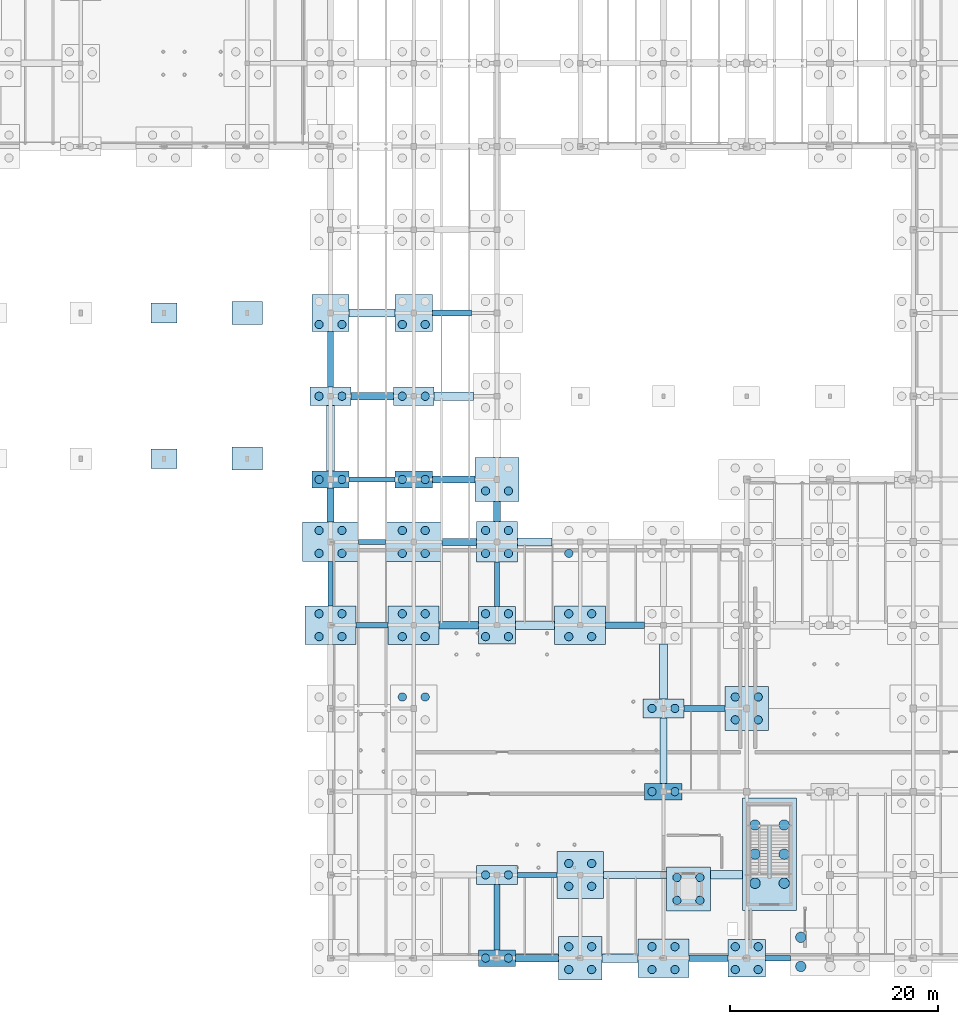
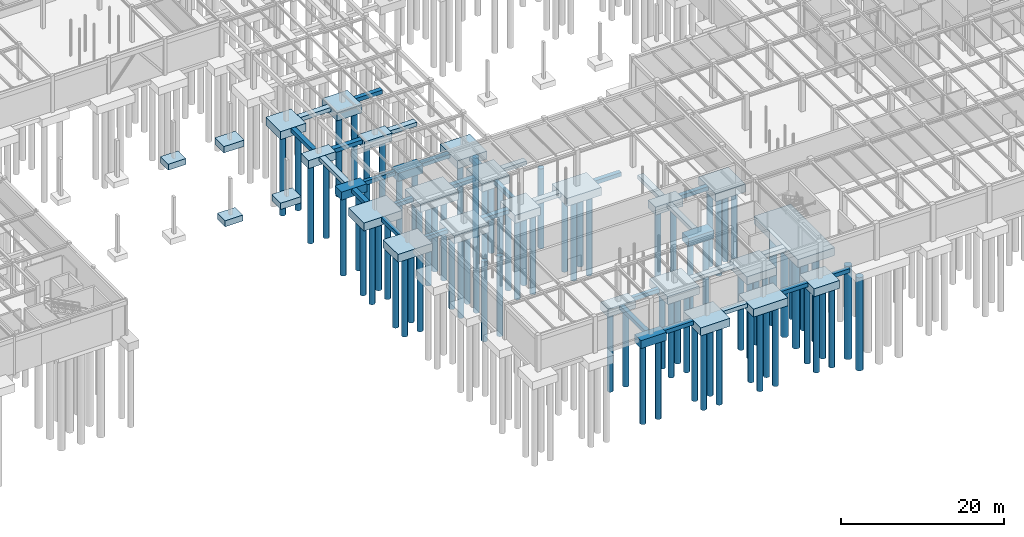
# One storey, part 2 of 71: 85 piles, 59 footings.
"""IFC4 building model written with IfcOpenShell, lengths in metres."""

from ifc_helpers import new_model, si_unit, direction, frame, origin, origin_2d, place, context, subcontext, project, spatial, rectangle, circle, extrude, material, material_profile, profile_set, type_object, element, save


model = new_model("IFC4")

# Units and contexts
model_context = context("Model", 3, precision=1e-05, world=origin(), true_north=direction((0.0, 1.0)))
body_context = subcontext(model_context, "Body", "Model", "MODEL_VIEW")
ifc_project = project(units=[si_unit("LENGTHUNIT", "METRE"), si_unit("AREAUNIT", "SQUARE_METRE"), si_unit("VOLUMEUNIT", "CUBIC_METRE"), si_unit("PLANEANGLEUNIT", "RADIAN"), si_unit("MASSUNIT", "GRAM", prefix="KILO")], contexts=[model_context])

# Site, building, storey
site_placement = place(None, origin())
site = spatial("IfcSite", under=ifc_project, at=site_placement, CompositionType="ELEMENT")
building_placement = place(site_placement, origin())
building = spatial("IfcBuilding", under=site, at=building_placement, Name="Sundkrona Museum", CompositionType="ELEMENT")
storey_placement = place(building_placement, frame((0.0, 0.0, -5.39990234375)))
storey = spatial("IfcBuildingStorey", under=building, at=storey_placement, Name="B1", CompositionType="ELEMENT", Elevation=-5.39990234375)

# Footings
ifc_material = material(Name="Concrete C40/50", Category="concrete")
footing_type_1 = type_object("IfcFootingType", Name="GB-500", PredefinedType="FOOTING_BEAM", material=ifc_material)
footing_1_placement = place(storey_placement, frame((123.0, 0.0, -0.7001953125), z_axis=(0.0, 0.0, 1.0), x_axis=(1.0, 0.0, 0.0)))
element("IfcFooting", 1, at=footing_1_placement, inside=storey, type_object=footing_type_1, Name="Ground Tie Beam GB-X-006", PredefinedType="FOOTING_BEAM", context=body_context, shape_type="SweptSolid", body=[
    extrude(rectangle(XDim=2.39990234375, YDim=0.5, at=origin_2d()), origin(), (0.0, 0.0, 1.0), 0.60009765625),
])
footing_2_placement = place(storey_placement, frame((99.85009765625, 8.0, -0.7001953125), z_axis=(0.0, 0.0, 1.0), x_axis=(1.0, 0.0, 0.0)))
element("IfcFooting", 2, at=footing_2_placement, inside=storey, type_object=footing_type_1, Name="Ground Tie Beam GB-X-014", PredefinedType="FOOTING_BEAM", context=body_context, shape_type="SweptSolid", body=[
    extrude(rectangle(XDim=3.800048828125, YDim=0.5, at=origin_2d()), origin(), (0.0, 0.0, 1.0), 0.60009765625),
])
footing_3_placement = place(storey_placement, frame((84.0, 32.0, -0.7001953125), z_axis=(0.0, 0.0, 1.0), x_axis=(1.0, 0.0, 0.0)))
element("IfcFooting", 3, at=footing_3_placement, inside=storey, type_object=footing_type_1, Name="Ground Tie Beam GB-X-034", PredefinedType="FOOTING_BEAM", context=body_context, shape_type="SweptSolid", body=[
    extrude(rectangle(XDim=3.10009765625, YDim=0.5, at=origin_2d()), origin(), (0.0, 0.0, 1.0), 0.60009765625),
])
footing_4_placement = place(storey_placement, frame((84.0, 40.0, -0.7001953125), z_axis=(0.0, 0.0, 1.0), x_axis=(1.0, 0.0, 0.0)))
element("IfcFooting", 4, at=footing_4_placement, inside=storey, type_object=footing_type_1, Name="Ground Tie Beam GB-X-046", PredefinedType="FOOTING_BEAM", context=body_context, shape_type="SweptSolid", body=[
    extrude(rectangle(XDim=2.60009765625, YDim=0.5, at=origin_2d()), origin(), (0.0, 0.0, 1.0), 0.60009765625),
])
footing_5_placement = place(storey_placement, frame((84.0, 46.0, -0.7001953125), z_axis=(0.0, 0.0, 1.0), x_axis=(1.0, 0.0, 0.0)))
element("IfcFooting", 5, at=footing_5_placement, inside=storey, type_object=footing_type_1, Name="Ground Tie Beam GB-X-058", PredefinedType="FOOTING_BEAM", context=body_context, shape_type="SweptSolid", body=[
    extrude(rectangle(XDim=4.39990234375, YDim=0.5, at=origin_2d()), origin(), (0.0, 0.0, 1.0), 0.60009765625),
])
for number, where, z_axis, x_axis, name in (
    (6, (80.0, 35.97509765625, -0.7001953125), (0.0, 0.0, 1.0), (0.0, 1.0, 0.0), "Ground Tie Beam GB-Y-230"),
    (7, (96.0, 35.925048828125, -0.7001953125), (0.0, 0.0, 1.0), (0.0, 1.0, 0.0), "Ground Tie Beam GB-Y-242"),
):
    element("IfcFooting", number, at=place(storey_placement, frame(where, z_axis=z_axis, x_axis=x_axis)), inside=storey, type_object=footing_type_1, Name=name, PredefinedType="FOOTING_BEAM", context=body_context, shape_type="SweptSolid", body=[
        extrude(rectangle(XDim=4.25, YDim=0.5, at=origin_2d()), origin(), (0.0, 0.0, 1.0), 0.60009765625),
    ])
footing_type_2 = type_object("IfcFootingType", Name="GB-600", PredefinedType="FOOTING_BEAM", material=ifc_material)
footing_6_placement = place(storey_placement, frame((116.324951171875, 0.0, -0.7001953125), z_axis=(0.0, 0.0, 1.0), x_axis=(1.0, 0.0, 0.0)))
element("IfcFooting", 8, at=footing_6_placement, inside=storey, type_object=footing_type_2, Name="Ground Tie Beam GB-X-005", PredefinedType="FOOTING_BEAM", context=body_context, shape_type="SweptSolid", body=[
    extrude(rectangle(XDim=3.75, YDim=0.60009765625, at=origin_2d()), origin(), (0.0, 0.0, 1.0), 0.60009765625),
])
footing_7_placement = place(storey_placement, frame((115.925048828125, 24.0, -0.7001953125), z_axis=(0.0, 0.0, 1.0), x_axis=(1.0, 0.0, 0.0)))
element("IfcFooting", 9, at=footing_7_placement, inside=storey, type_object=footing_type_2, Name="Ground Tie Beam GB-X-029", PredefinedType="FOOTING_BEAM", context=body_context, shape_type="SweptSolid", body=[
    extrude(rectangle(XDim=3.949951171875, YDim=0.60009765625, at=origin_2d()), origin(), (0.0, 0.0, 1.0), 0.60009765625),
])
for number, where, z_axis, x_axis, name in (
    (10, (108.324951171875, 32.0, -0.7001953125), (0.0, 0.0, 1.0), (1.0, 0.0, 0.0), "Ground Tie Beam GB-X-037"),
    (11, (91.675048828125, 62.0, -0.7001953125), (0.0, 0.0, 1.0), (1.0, 0.0, 0.0), "Ground Tie Beam GB-X-077"),
):
    element("IfcFooting", number, at=place(storey_placement, frame(where, z_axis=z_axis, x_axis=x_axis)), inside=storey, type_object=footing_type_2, Name=name, PredefinedType="FOOTING_BEAM", context=body_context, shape_type="SweptSolid", body=[
        extrude(rectangle(XDim=3.75, YDim=0.60009765625, at=origin_2d()), origin(), (0.0, 0.0, 1.0), 0.60009765625),
    ])
footing_8_placement = place(storey_placement, frame((80.0, 57.550048828125, -0.7001953125), z_axis=(0.0, 0.0, 1.0), x_axis=(0.0, 1.0, 0.0)))
element("IfcFooting", 12, at=footing_8_placement, inside=storey, type_object=footing_type_2, Name="Ground Tie Beam GB-Y-233", PredefinedType="FOOTING_BEAM", context=body_context, shape_type="SweptSolid", body=[
    extrude(rectangle(XDim=5.300048828125, YDim=0.60009765625, at=origin_2d()), origin(), (0.0, 0.0, 1.0), 0.60009765625),
])
footing_9_placement = place(storey_placement, frame((96.0, 3.949951171875, -0.7001953125), z_axis=(0.0, 0.0, 1.0), x_axis=(0.0, 1.0, 0.0)))
element("IfcFooting", 13, at=footing_9_placement, inside=storey, type_object=footing_type_2, Name="Ground Tie Beam GB-Y-241", PredefinedType="FOOTING_BEAM", context=body_context, shape_type="SweptSolid", body=[
    extrude(rectangle(XDim=6.300048828125, YDim=0.60009765625, at=origin_2d()), origin(), (0.0, 0.0, 1.0), 0.60009765625),
])
footing_type_3 = type_object("IfcFootingType", Name="GB-700", PredefinedType="FOOTING_BEAM", material=ifc_material)
footing_10_placement = place(storey_placement, frame((99.85009765625, 0.0, -0.7001953125), z_axis=(0.0, 0.0, 1.0), x_axis=(1.0, 0.0, 0.0)))
element("IfcFooting", 14, at=footing_10_placement, inside=storey, type_object=footing_type_3, Name="Ground Tie Beam GB-X-003", PredefinedType="FOOTING_BEAM", context=body_context, shape_type="SweptSolid", body=[
    extrude(rectangle(XDim=4.10009765625, YDim=0.699951171875, at=origin_2d()), origin(), (0.0, 0.0, 1.0), 0.60009765625),
])
footing_11_placement = place(storey_placement, frame((109.27490234375, 8.0, -0.7001953125), z_axis=(0.0, 0.0, 1.0), x_axis=(1.0, 0.0, 0.0)))
element("IfcFooting", 15, at=footing_11_placement, inside=storey, type_object=footing_type_3, Name="Ground Tie Beam GB-X-015", PredefinedType="FOOTING_BEAM", context=body_context, shape_type="SweptSolid", body=[
    extrude(rectangle(XDim=6.050048828125, YDim=0.699951171875, at=origin_2d()), origin(), (0.0, 0.0, 1.0), 0.60009765625),
])
footing_12_placement = place(storey_placement, frame((92.324951171875, 32.0, -0.7001953125), z_axis=(0.0, 0.0, 1.0), x_axis=(1.0, 0.0, 0.0)))
element("IfcFooting", 16, at=footing_12_placement, inside=storey, type_object=footing_type_3, Name="Ground Tie Beam GB-X-035", PredefinedType="FOOTING_BEAM", context=body_context, shape_type="SweptSolid", body=[
    extrude(rectangle(XDim=3.75, YDim=0.699951171875, at=origin_2d()), origin(), (0.0, 0.0, 1.0), 0.60009765625),
])
footing_13_placement = place(storey_placement, frame((92.375, 40.0, -0.7001953125), z_axis=(0.0, 0.0, 1.0), x_axis=(1.0, 0.0, 0.0)))
element("IfcFooting", 17, at=footing_13_placement, inside=storey, type_object=footing_type_3, Name="Ground Tie Beam GB-X-047", PredefinedType="FOOTING_BEAM", context=body_context, shape_type="SweptSolid", body=[
    extrude(rectangle(XDim=3.35009765625, YDim=0.699951171875, at=origin_2d()), origin(), (0.0, 0.0, 1.0), 0.60009765625),
])
for number, where, z_axis, x_axis, name in (
    (18, (91.85009765625, 46.0, -0.7001953125), (0.0, 0.0, 1.0), (1.0, 0.0, 0.0), "Ground Tie Beam GB-X-059"),
    (19, (84.0, 54.0, -0.7001953125), (0.0, 0.0, 1.0), (1.0, 0.0, 0.0), "Ground Tie Beam GB-X-067"),
):
    element("IfcFooting", number, at=place(storey_placement, frame(where, z_axis=z_axis, x_axis=x_axis)), inside=storey, type_object=footing_type_3, Name=name, PredefinedType="FOOTING_BEAM", context=body_context, shape_type="SweptSolid", body=[
        extrude(rectangle(XDim=4.10009765625, YDim=0.699951171875, at=origin_2d()), origin(), (0.0, 0.0, 1.0), 0.60009765625),
    ])
footing_14_placement = place(storey_placement, frame((80.0, 43.550048828125, -0.7001953125), z_axis=(0.0, 0.0, 1.0), x_axis=(0.0, 1.0, 0.0)))
element("IfcFooting", 20, at=footing_14_placement, inside=storey, type_object=footing_type_3, Name="Ground Tie Beam GB-Y-231", PredefinedType="FOOTING_BEAM", context=body_context, shape_type="SweptSolid", body=[
    extrude(rectangle(XDim=3.300048828125, YDim=0.699951171875, at=origin_2d()), origin(), (0.0, 0.0, 1.0), 0.60009765625),
])
footing_15_placement = place(storey_placement, frame((96.0, 42.925048828125, -0.7001953125), z_axis=(0.0, 0.0, 1.0), x_axis=(0.0, 1.0, 0.0)))
element("IfcFooting", 21, at=footing_15_placement, inside=storey, type_object=footing_type_3, Name="Ground Tie Beam GB-Y-243", PredefinedType="FOOTING_BEAM", context=body_context, shape_type="SweptSolid", body=[
    extrude(rectangle(XDim=1.949951171875, YDim=0.699951171875, at=origin_2d()), origin(), (0.0, 0.0, 1.0), 0.60009765625),
])
footing_16_placement = place(storey_placement, frame((112.0, 19.949951171875, -0.7001953125), z_axis=(0.0, 0.0, 1.0), x_axis=(0.0, 1.0, 0.0)))
element("IfcFooting", 22, at=footing_16_placement, inside=storey, type_object=footing_type_3, Name="Ground Tie Beam GB-Y-251", PredefinedType="FOOTING_BEAM", context=body_context, shape_type="SweptSolid", body=[
    extrude(rectangle(XDim=6.300048828125, YDim=0.699951171875, at=origin_2d()), origin(), (0.0, 0.0, 1.0), 0.60009765625),
])
footing_type_4 = type_object("IfcFootingType", Name="GB-800", PredefinedType="FOOTING_BEAM", material=ifc_material)
footing_17_placement = place(storey_placement, frame((107.824951171875, 0.0, -0.7001953125), z_axis=(0.0, 0.0, 1.0), x_axis=(1.0, 0.0, 0.0)))
element("IfcFooting", 23, at=footing_17_placement, inside=storey, type_object=footing_type_4, Name="Ground Tie Beam GB-X-004", PredefinedType="FOOTING_BEAM", context=body_context, shape_type="SweptSolid", body=[
    extrude(rectangle(XDim=3.449951171875, YDim=0.800048828125, at=origin_2d()), origin(), (0.0, 0.0, 1.0), 0.60009765625),
])
footing_18_placement = place(storey_placement, frame((118.050048828125, 8.0, -0.7001953125), z_axis=(0.0, 0.0, 1.0), x_axis=(1.0, 0.0, 0.0)))
element("IfcFooting", 24, at=footing_18_placement, inside=storey, type_object=footing_type_4, Name="Ground Tie Beam GB-X-016", PredefinedType="FOOTING_BEAM", context=body_context, shape_type="SweptSolid", body=[
    extrude(rectangle(XDim=3.10009765625, YDim=0.800048828125, at=origin_2d()), origin(), (0.0, 0.0, 1.0), 0.60009765625),
])
footing_19_placement = place(storey_placement, frame((99.675048828125, 32.0, -0.7001953125), z_axis=(0.0, 0.0, 1.0), x_axis=(1.0, 0.0, 0.0)))
element("IfcFooting", 25, at=footing_19_placement, inside=storey, type_object=footing_type_4, Name="Ground Tie Beam GB-X-036", PredefinedType="FOOTING_BEAM", context=body_context, shape_type="SweptSolid", body=[
    extrude(rectangle(XDim=3.75, YDim=0.800048828125, at=origin_2d()), origin(), (0.0, 0.0, 1.0), 0.60009765625),
])
footing_20_placement = place(storey_placement, frame((99.625, 40.0, -0.7001953125), z_axis=(0.0, 0.0, 1.0), x_axis=(1.0, 0.0, 0.0)))
element("IfcFooting", 26, at=footing_20_placement, inside=storey, type_object=footing_type_4, Name="Ground Tie Beam GB-X-048", PredefinedType="FOOTING_BEAM", context=body_context, shape_type="SweptSolid", body=[
    extrude(rectangle(XDim=3.35009765625, YDim=0.800048828125, at=origin_2d()), origin(), (0.0, 0.0, 1.0), 0.60009765625),
])
footing_21_placement = place(storey_placement, frame((91.85009765625, 54.0, -0.7001953125), z_axis=(0.0, 0.0, 1.0), x_axis=(1.0, 0.0, 0.0)))
element("IfcFooting", 27, at=footing_21_placement, inside=storey, type_object=footing_type_4, Name="Ground Tie Beam GB-X-068", PredefinedType="FOOTING_BEAM", context=body_context, shape_type="SweptSolid", body=[
    extrude(rectangle(XDim=3.800048828125, YDim=0.800048828125, at=origin_2d()), origin(), (0.0, 0.0, 1.0), 0.60009765625),
])
footing_22_placement = place(storey_placement, frame((84.0, 62.0, -0.7001953125), z_axis=(0.0, 0.0, 1.0), x_axis=(1.0, 0.0, 0.0)))
element("IfcFooting", 28, at=footing_22_placement, inside=storey, type_object=footing_type_4, Name="Ground Tie Beam GB-X-076", PredefinedType="FOOTING_BEAM", context=body_context, shape_type="SweptSolid", body=[
    extrude(rectangle(XDim=4.39990234375, YDim=0.800048828125, at=origin_2d()), origin(), (0.0, 0.0, 1.0), 0.60009765625),
])
footing_23_placement = place(storey_placement, frame((80.0, 49.949951171875, -0.7001953125), z_axis=(0.0, 0.0, 1.0), x_axis=(0.0, 1.0, 0.0)))
element("IfcFooting", 29, at=footing_23_placement, inside=storey, type_object=footing_type_4, Name="Ground Tie Beam GB-Y-232", PredefinedType="FOOTING_BEAM", context=body_context, shape_type="SweptSolid", body=[
    extrude(rectangle(XDim=6.300048828125, YDim=0.800048828125, at=origin_2d()), origin(), (0.0, 0.0, 1.0), 0.60009765625),
])
footing_24_placement = place(storey_placement, frame((112.0, 27.550048828125, -0.7001953125), z_axis=(0.0, 0.0, 1.0), x_axis=(0.0, 1.0, 0.0)))
element("IfcFooting", 30, at=footing_24_placement, inside=storey, type_object=footing_type_4, Name="Ground Tie Beam GB-Y-252", PredefinedType="FOOTING_BEAM", context=body_context, shape_type="SweptSolid", body=[
    extrude(rectangle(XDim=5.300048828125, YDim=0.800048828125, at=origin_2d()), origin(), (0.0, 0.0, 1.0), 0.60009765625),
])

# Piles
ifc_material_profile_1 = material_profile(ifc_material, circle(Radius=0.5, at=origin_2d()), Name="PILE D1000")
ifc_profile_set_1 = profile_set([ifc_material_profile_1], Name="Concrete C40/50")
pile_type_1 = type_object("IfcPileType", Name="P-1000", PredefinedType="BORED", material=ifc_profile_set_1)
for number, where, z_axis, x_axis, name in (
    (31, (123.60009765625, 7.199951171875, -1.150146484375), (0.0, 0.0, -1.0), (1.0, 0.0, 0.0), "Bored Pile FC-CORE2-P01"),
    (32, (123.60009765625, 10.0, -1.150146484375), (0.0, 0.0, -1.0), (1.0, 0.0, 0.0), "Bored Pile FC-CORE2-P02"),
    (33, (123.60009765625, 12.800048828125, -1.150146484375), (0.0, 0.0, -1.0), (1.0, 0.0, 0.0), "Bored Pile FC-CORE2-P03"),
    (34, (120.800048828125, 7.199951171875, -1.150146484375), (0.0, 0.0, -1.0), (1.0, 0.0, 0.0), "Bored Pile FC-CORE2-P04"),
    (35, (120.800048828125, 10.0, -1.150146484375), (0.0, 0.0, -1.0), (1.0, 0.0, 0.0), "Bored Pile FC-CORE2-P05"),
    (36, (120.800048828125, 12.800048828125, -1.150146484375), (0.0, 0.0, -1.0), (1.0, 0.0, 0.0), "Bored Pile FC-CORE2-P06"),
    (37, (125.199951171875, -0.800048828125, -1.150146484375), (0.0, 0.0, -1.0), (1.0, 0.0, 0.0), "Bored Pile FC-V1-SW-P01"),
    (38, (125.199951171875, 2.0, -1.150146484375), (0.0, 0.0, -1.0), (1.0, 0.0, 0.0), "Bored Pile FC-V1-SW-P04"),
):
    element("IfcPile", number, at=place(storey_placement, frame(where, z_axis=z_axis, x_axis=x_axis)), inside=storey, type_object=pile_type_1, Name=name, PredefinedType="BORED", context=body_context, shape_type="SweptSolid", body=[
        extrude(circle(Radius=0.5, at=origin_2d()), origin(), (0.0, 0.0, 1.0), 14.0),
    ])
ifc_material_profile_2 = material_profile(ifc_material, circle(Radius=0.39990234375, at=origin_2d()), Name="PILE D800")
ifc_profile_set_2 = profile_set([ifc_material_profile_2], Name="Concrete C40/50")
pile_type_2 = type_object("IfcPileType", Name="P-800", PredefinedType="BORED", material=ifc_profile_set_2)
for number, where, z_axis, x_axis, name in (
    (39, (113.300048828125, 5.550048828125, -1.150146484375), (0.0, 0.0, -1.0), (1.0, 0.0, 0.0), "Bored Pile FC-PL2-P01"),
    (40, (115.5, 5.550048828125, -1.150146484375), (0.0, 0.0, -1.0), (1.0, 0.0, 0.0), "Bored Pile FC-PL2-P02"),
    (41, (113.300048828125, 7.75, -1.150146484375), (0.0, 0.0, -1.0), (1.0, 0.0, 0.0), "Bored Pile FC-PL2-P03"),
    (42, (115.5, 7.75, -1.150146484375), (0.0, 0.0, -1.0), (1.0, 0.0, 0.0), "Bored Pile FC-PL2-P04"),
    (43, (78.89990234375, 30.89990234375, -1.150146484375), (0.0, 0.0, -1.0), (1.0, 0.0, 0.0), "Bored Pile FC-E-11-P01"),
    (44, (81.10009765625, 30.89990234375, -1.150146484375), (0.0, 0.0, -1.0), (1.0, 0.0, 0.0), "Bored Pile FC-E-11-P02"),
    (45, (78.89990234375, 33.10009765625, -1.150146484375), (0.0, 0.0, -1.0), (1.0, 0.0, 0.0), "Bored Pile FC-E-11-P03"),
    (46, (81.10009765625, 33.10009765625, -1.150146484375), (0.0, 0.0, -1.0), (1.0, 0.0, 0.0), "Bored Pile FC-E-11-P04"),
    (47, (78.89990234375, 38.89990234375, -1.150146484375), (0.0, 0.0, -1.0), (1.0, 0.0, 0.0), "Bored Pile FC-F-11-P01"),
    (48, (81.10009765625, 38.89990234375, -1.150146484375), (0.0, 0.0, -1.0), (1.0, 0.0, 0.0), "Bored Pile FC-F-11-P02"),
    (49, (78.89990234375, 41.10009765625, -1.150146484375), (0.0, 0.0, -1.0), (1.0, 0.0, 0.0), "Bored Pile FC-F-11-P03"),
    (50, (81.10009765625, 41.10009765625, -1.150146484375), (0.0, 0.0, -1.0), (1.0, 0.0, 0.0), "Bored Pile FC-F-11-P04"),
    (51, (78.89990234375, 46.0, -1.150146484375), (0.0, 0.0, -1.0), (1.0, 0.0, 0.0), "Bored Pile FC-G-11-P01"),
    (52, (81.10009765625, 46.0, -1.150146484375), (0.0, 0.0, -1.0), (1.0, 0.0, 0.0), "Bored Pile FC-G-11-P02"),
    (53, (78.89990234375, 54.0, -1.150146484375), (0.0, 0.0, -1.0), (1.0, 0.0, 0.0), "Bored Pile FC-H-11-P01"),
    (54, (81.10009765625, 54.0, -1.150146484375), (0.0, 0.0, -1.0), (1.0, 0.0, 0.0), "Bored Pile FC-H-11-P02"),
    (55, (78.89990234375, 60.89990234375, -1.150146484375), (0.0, 0.0, -1.0), (1.0, 0.0, 0.0), "Bored Pile FC-J-11-P01"),
    (56, (81.10009765625, 60.89990234375, -1.150146484375), (0.0, 0.0, -1.0), (1.0, 0.0, 0.0), "Bored Pile FC-J-11-P02"),
    (57, (86.89990234375, 25.10009765625, -1.150146484375), (0.0, 0.0, -1.0), (1.0, 0.0, 0.0), "Bored Pile FC-D-12-P03"),
    (58, (89.10009765625, 25.10009765625, -1.150146484375), (0.0, 0.0, -1.0), (1.0, 0.0, 0.0), "Bored Pile FC-D-12-P04"),
    (59, (86.89990234375, 30.89990234375, -1.150146484375), (0.0, 0.0, -1.0), (1.0, 0.0, 0.0), "Bored Pile FC-E-12-P01"),
    (60, (89.10009765625, 30.89990234375, -1.150146484375), (0.0, 0.0, -1.0), (1.0, 0.0, 0.0), "Bored Pile FC-E-12-P02"),
    (61, (86.89990234375, 33.10009765625, -1.150146484375), (0.0, 0.0, -1.0), (1.0, 0.0, 0.0), "Bored Pile FC-E-12-P03"),
    (62, (89.10009765625, 33.10009765625, -1.150146484375), (0.0, 0.0, -1.0), (1.0, 0.0, 0.0), "Bored Pile FC-E-12-P04"),
    (63, (86.89990234375, 38.89990234375, -1.150146484375), (0.0, 0.0, -1.0), (1.0, 0.0, 0.0), "Bored Pile FC-F-12-P01"),
    (64, (89.10009765625, 38.89990234375, -1.150146484375), (0.0, 0.0, -1.0), (1.0, 0.0, 0.0), "Bored Pile FC-F-12-P02"),
    (65, (86.89990234375, 41.10009765625, -1.150146484375), (0.0, 0.0, -1.0), (1.0, 0.0, 0.0), "Bored Pile FC-F-12-P03"),
    (66, (89.10009765625, 41.10009765625, -1.150146484375), (0.0, 0.0, -1.0), (1.0, 0.0, 0.0), "Bored Pile FC-F-12-P04"),
    (67, (86.89990234375, 46.0, -1.150146484375), (0.0, 0.0, -1.0), (1.0, 0.0, 0.0), "Bored Pile FC-G-12-P01"),
    (68, (89.10009765625, 46.0, -1.150146484375), (0.0, 0.0, -1.0), (1.0, 0.0, 0.0), "Bored Pile FC-G-12-P02"),
    (69, (86.89990234375, 54.0, -1.150146484375), (0.0, 0.0, -1.0), (1.0, 0.0, 0.0), "Bored Pile FC-H-12-P01"),
    (70, (89.10009765625, 54.0, -1.150146484375), (0.0, 0.0, -1.0), (1.0, 0.0, 0.0), "Bored Pile FC-H-12-P02"),
    (71, (86.89990234375, 60.89990234375, -1.150146484375), (0.0, 0.0, -1.0), (1.0, 0.0, 0.0), "Bored Pile FC-J-12-P01"),
    (72, (89.10009765625, 60.89990234375, -1.150146484375), (0.0, 0.0, -1.0), (1.0, 0.0, 0.0), "Bored Pile FC-J-12-P02"),
    (73, (94.89990234375, 0.0, -1.150146484375), (0.0, 0.0, -1.0), (1.0, 0.0, 0.0), "Bored Pile FC-A-13-P01"),
    (74, (97.10009765625, 0.0, -1.150146484375), (0.0, 0.0, -1.0), (1.0, 0.0, 0.0), "Bored Pile FC-A-13-P02"),
    (75, (94.89990234375, 8.0, -1.150146484375), (0.0, 0.0, -1.0), (1.0, 0.0, 0.0), "Bored Pile FC-B-13-P01"),
    (76, (97.10009765625, 8.0, -1.150146484375), (0.0, 0.0, -1.0), (1.0, 0.0, 0.0), "Bored Pile FC-B-13-P02"),
    (77, (94.89990234375, 30.89990234375, -1.150146484375), (0.0, 0.0, -1.0), (1.0, 0.0, 0.0), "Bored Pile FC-E-13-P01"),
    (78, (97.10009765625, 30.89990234375, -1.150146484375), (0.0, 0.0, -1.0), (1.0, 0.0, 0.0), "Bored Pile FC-E-13-P02"),
    (79, (94.89990234375, 33.10009765625, -1.150146484375), (0.0, 0.0, -1.0), (1.0, 0.0, 0.0), "Bored Pile FC-E-13-P03"),
    (80, (97.10009765625, 33.10009765625, -1.150146484375), (0.0, 0.0, -1.0), (1.0, 0.0, 0.0), "Bored Pile FC-E-13-P04"),
    (81, (94.89990234375, 38.89990234375, -1.150146484375), (0.0, 0.0, -1.0), (1.0, 0.0, 0.0), "Bored Pile FC-F-13-P01"),
    (82, (97.10009765625, 38.89990234375, -1.150146484375), (0.0, 0.0, -1.0), (1.0, 0.0, 0.0), "Bored Pile FC-F-13-P02"),
    (83, (94.89990234375, 41.10009765625, -1.150146484375), (0.0, 0.0, -1.0), (1.0, 0.0, 0.0), "Bored Pile FC-F-13-P03"),
    (84, (97.10009765625, 41.10009765625, -1.150146484375), (0.0, 0.0, -1.0), (1.0, 0.0, 0.0), "Bored Pile FC-F-13-P04"),
    (85, (94.89990234375, 44.89990234375, -1.150146484375), (0.0, 0.0, -1.0), (1.0, 0.0, 0.0), "Bored Pile FC-G-13-P01"),
    (86, (97.10009765625, 44.89990234375, -1.150146484375), (0.0, 0.0, -1.0), (1.0, 0.0, 0.0), "Bored Pile FC-G-13-P02"),
    (87, (102.89990234375, -1.10009765625, -1.150146484375), (0.0, 0.0, -1.0), (1.0, 0.0, 0.0), "Bored Pile FC-A-14-P01"),
    (88, (105.10009765625, -1.10009765625, -1.150146484375), (0.0, 0.0, -1.0), (1.0, 0.0, 0.0), "Bored Pile FC-A-14-P02"),
    (89, (102.89990234375, 1.10009765625, -1.150146484375), (0.0, 0.0, -1.0), (1.0, 0.0, 0.0), "Bored Pile FC-A-14-P03"),
    (90, (105.10009765625, 1.10009765625, -1.150146484375), (0.0, 0.0, -1.0), (1.0, 0.0, 0.0), "Bored Pile FC-A-14-P04"),
    (91, (102.89990234375, 6.89990234375, -1.150146484375), (0.0, 0.0, -1.0), (1.0, 0.0, 0.0), "Bored Pile FC-B-14-P01"),
    (92, (105.10009765625, 6.89990234375, -1.150146484375), (0.0, 0.0, -1.0), (1.0, 0.0, 0.0), "Bored Pile FC-B-14-P02"),
    (93, (102.89990234375, 9.10009765625, -1.150146484375), (0.0, 0.0, -1.0), (1.0, 0.0, 0.0), "Bored Pile FC-B-14-P03"),
    (94, (105.10009765625, 9.10009765625, -1.150146484375), (0.0, 0.0, -1.0), (1.0, 0.0, 0.0), "Bored Pile FC-B-14-P04"),
    (95, (102.89990234375, 30.89990234375, -1.150146484375), (0.0, 0.0, -1.0), (1.0, 0.0, 0.0), "Bored Pile FC-E-14-P01"),
    (96, (105.10009765625, 30.89990234375, -1.150146484375), (0.0, 0.0, -1.0), (1.0, 0.0, 0.0), "Bored Pile FC-E-14-P02"),
    (97, (102.89990234375, 33.10009765625, -1.150146484375), (0.0, 0.0, -1.0), (1.0, 0.0, 0.0), "Bored Pile FC-E-14-P03"),
    (98, (105.10009765625, 33.10009765625, -1.150146484375), (0.0, 0.0, -1.0), (1.0, 0.0, 0.0), "Bored Pile FC-E-14-P04"),
    (99, (102.89990234375, 38.89990234375, -1.150146484375), (0.0, 0.0, -1.0), (1.0, 0.0, 0.0), "Bored Pile FC-F-14-P01"),
    (100, (110.89990234375, -1.10009765625, -1.150146484375), (0.0, 0.0, -1.0), (1.0, 0.0, 0.0), "Bored Pile FC-A-15-P01"),
    (101, (113.10009765625, -1.10009765625, -1.150146484375), (0.0, 0.0, -1.0), (1.0, 0.0, 0.0), "Bored Pile FC-A-15-P02"),
    (102, (110.89990234375, 1.10009765625, -1.150146484375), (0.0, 0.0, -1.0), (1.0, 0.0, 0.0), "Bored Pile FC-A-15-P03"),
    (103, (113.10009765625, 1.10009765625, -1.150146484375), (0.0, 0.0, -1.0), (1.0, 0.0, 0.0), "Bored Pile FC-A-15-P04"),
    (104, (110.89990234375, 16.0, -1.150146484375), (0.0, 0.0, -1.0), (1.0, 0.0, 0.0), "Bored Pile FC-C-15-P01"),
    (105, (113.10009765625, 16.0, -1.150146484375), (0.0, 0.0, -1.0), (1.0, 0.0, 0.0), "Bored Pile FC-C-15-P02"),
    (106, (110.89990234375, 24.0, -1.150146484375), (0.0, 0.0, -1.0), (1.0, 0.0, 0.0), "Bored Pile FC-D-15-P01"),
    (107, (113.10009765625, 24.0, -1.150146484375), (0.0, 0.0, -1.0), (1.0, 0.0, 0.0), "Bored Pile FC-D-15-P02"),
    (108, (118.89990234375, -1.10009765625, -1.150146484375), (0.0, 0.0, -1.0), (1.0, 0.0, 0.0), "Bored Pile FC-A-16-P01"),
    (109, (121.10009765625, -1.10009765625, -1.150146484375), (0.0, 0.0, -1.0), (1.0, 0.0, 0.0), "Bored Pile FC-A-16-P02"),
    (110, (118.89990234375, 1.10009765625, -1.150146484375), (0.0, 0.0, -1.0), (1.0, 0.0, 0.0), "Bored Pile FC-A-16-P03"),
    (111, (121.10009765625, 1.10009765625, -1.150146484375), (0.0, 0.0, -1.0), (1.0, 0.0, 0.0), "Bored Pile FC-A-16-P04"),
    (112, (118.89990234375, 22.89990234375, -1.150146484375), (0.0, 0.0, -1.0), (1.0, 0.0, 0.0), "Bored Pile FC-D-16-P01"),
    (113, (121.10009765625, 22.89990234375, -1.150146484375), (0.0, 0.0, -1.0), (1.0, 0.0, 0.0), "Bored Pile FC-D-16-P02"),
    (114, (118.89990234375, 25.10009765625, -1.150146484375), (0.0, 0.0, -1.0), (1.0, 0.0, 0.0), "Bored Pile FC-D-16-P03"),
    (115, (121.10009765625, 25.10009765625, -1.150146484375), (0.0, 0.0, -1.0), (1.0, 0.0, 0.0), "Bored Pile FC-D-16-P04"),
):
    element("IfcPile", number, at=place(storey_placement, frame(where, z_axis=z_axis, x_axis=x_axis)), inside=storey, type_object=pile_type_2, Name=name, PredefinedType="BORED", context=body_context, shape_type="SweptSolid", body=[
        extrude(circle(Radius=0.39990234375, at=origin_2d()), origin(), (0.0, 0.0, 1.0), 12.0),
    ])

# Footings
footing_type_5 = type_object("IfcFootingType", Name="PC-2A", PredefinedType="PILE_CAP", material=ifc_material)
for number, where, z_axis, x_axis, name in (
    (116, (80.0, 46.0, -1.30029296875), (0.0, 0.0, 1.0), (1.0, 0.0, 0.0), "Column Pile Cap G/11"),
    (117, (88.0, 46.0, -1.30029296875), (0.0, 0.0, 1.0), (1.0, 0.0, 0.0), "Column Pile Cap G/12"),
    (118, (96.0, 0.0, -1.30029296875), (0.0, 0.0, 1.0), (1.0, 0.0, 0.0), "Column Pile Cap A/13"),
    (119, (112.0, 16.0, -1.30029296875), (0.0, 0.0, 1.0), (1.0, 0.0, 0.0), "Column Pile Cap C/15"),
):
    element("IfcFooting", number, at=place(storey_placement, frame(where, z_axis=z_axis, x_axis=x_axis)), inside=storey, type_object=footing_type_5, Name=name, PredefinedType="PILE_CAP", context=body_context, shape_type="SweptSolid", body=[
        extrude(rectangle(XDim=3.60009765625, YDim=1.60009765625, at=origin_2d()), origin(), (0.0, 0.0, 1.0), 1.199951171875),
    ])
footing_type_6 = type_object("IfcFootingType", Name="PC-2B", PredefinedType="PILE_CAP", material=ifc_material)
for number, where, z_axis, x_axis, name in (
    (120, (80.0, 54.0, -1.30029296875), (0.0, 0.0, 1.0), (1.0, 0.0, 0.0), "Column Pile Cap H/11"),
    (121, (88.0, 54.0, -1.30029296875), (0.0, 0.0, 1.0), (1.0, 0.0, 0.0), "Column Pile Cap H/12"),
    (122, (96.0, 8.0, -1.30029296875), (0.0, 0.0, 1.0), (1.0, 0.0, 0.0), "Column Pile Cap B/13"),
    (123, (112.0, 24.0, -1.30029296875), (0.0, 0.0, 1.0), (1.0, 0.0, 0.0), "Column Pile Cap D/15"),
):
    element("IfcFooting", number, at=place(storey_placement, frame(where, z_axis=z_axis, x_axis=x_axis)), inside=storey, type_object=footing_type_6, Name=name, PredefinedType="PILE_CAP", context=body_context, shape_type="SweptSolid", body=[
        extrude(rectangle(XDim=3.89990234375, YDim=1.800048828125, at=origin_2d()), origin(), (0.0, 0.0, 1.0), 1.199951171875),
    ])
footing_type_7 = type_object("IfcFootingType", Name="PC-4A", PredefinedType="PILE_CAP", material=ifc_material)
for number, where, z_axis, x_axis, name in (
    (124, (80.0, 62.0, -1.30029296875), (0.0, 0.0, 1.0), (1.0, 0.0, 0.0), "Column Pile Cap J/11"),
    (125, (88.0, 62.0, -1.30029296875), (0.0, 0.0, 1.0), (1.0, 0.0, 0.0), "Column Pile Cap J/12"),
    (126, (96.0, 32.0, -1.30029296875), (0.0, 0.0, 1.0), (1.0, 0.0, 0.0), "Column Pile Cap E/13"),
    (127, (120.0, 0.0, -1.30029296875), (0.0, 0.0, 1.0), (1.0, 0.0, 0.0), "Column Pile Cap A/16"),
):
    element("IfcFooting", number, at=place(storey_placement, frame(where, z_axis=z_axis, x_axis=x_axis)), inside=storey, type_object=footing_type_7, Name=name, PredefinedType="PILE_CAP", context=body_context, shape_type="SweptSolid", body=[
        extrude(rectangle(XDim=3.60009765625, YDim=3.60009765625, at=origin_2d()), origin(), (0.0, 0.0, 1.0), 1.199951171875),
    ])
footing_type_8 = type_object("IfcFootingType", Name="PC-4B", PredefinedType="PILE_CAP", material=ifc_material)
footing_25_placement = place(storey_placement, frame((96.0, 40.0, -1.30029296875), z_axis=(0.0, 0.0, 1.0), x_axis=(1.0, 0.0, 0.0)))
element("IfcFooting", 128, at=footing_25_placement, inside=storey, type_object=footing_type_8, Name="Column Pile Cap F/13", PredefinedType="PILE_CAP", context=body_context, shape_type="SweptSolid", body=[
    extrude(rectangle(XDim=3.89990234375, YDim=3.89990234375, at=origin_2d()), origin(), (0.0, 0.0, 1.0), 1.199951171875),
])
footing_type_9 = type_object("IfcFootingType", Name="PC-4C", PredefinedType="PILE_CAP", material=ifc_material)
for number, where, z_axis, x_axis, name in (
    (129, (114.39990234375, 6.64990234375, -1.30029296875), (0.0, 0.0, 1.0), (1.0, 0.0, 0.0), "Lift PL-2 Pile Cap"),
    (130, (96.0, 46.0, -1.30029296875), (0.0, 0.0, 1.0), (1.0, 0.0, 0.0), "Column Pile Cap G/13"),
    (131, (104.0, 0.0, -1.30029296875), (0.0, 0.0, 1.0), (1.0, 0.0, 0.0), "Column Pile Cap A/14"),
    (132, (120.0, 24.0, -1.30029296875), (0.0, 0.0, 1.0), (1.0, 0.0, 0.0), "Column Pile Cap D/16"),
):
    element("IfcFooting", number, at=place(storey_placement, frame(where, z_axis=z_axis, x_axis=x_axis)), inside=storey, type_object=footing_type_9, Name=name, PredefinedType="PILE_CAP", context=body_context, shape_type="SweptSolid", body=[
        extrude(rectangle(XDim=4.199951171875, YDim=4.199951171875, at=origin_2d()), origin(), (0.0, 0.0, 1.0), 1.199951171875),
    ])
footing_type_10 = type_object("IfcFootingType", Name="PC-4D", PredefinedType="PILE_CAP", material=ifc_material)
footing_26_placement = place(storey_placement, frame((104.0, 8.0, -1.30029296875), z_axis=(0.0, 0.0, 1.0), x_axis=(1.0, 0.0, 0.0)))
element("IfcFooting", 133, at=footing_26_placement, inside=storey, type_object=footing_type_10, Name="Column Pile Cap B/14", PredefinedType="PILE_CAP", context=body_context, shape_type="SweptSolid", body=[
    extrude(rectangle(XDim=4.5, YDim=4.5, at=origin_2d()), origin(), (0.0, 0.0, 1.0), 1.199951171875),
])
footing_type_11 = type_object("IfcFootingType", Name="PC-4E", PredefinedType="PILE_CAP", material=ifc_material)
for number, where, z_axis, x_axis, name in (
    (134, (80.0, 32.0, -1.30029296875), (0.0, 0.0, 1.0), (1.0, 0.0, 0.0), "Column Pile Cap E/11"),
    (135, (88.0, 32.0, -1.30029296875), (0.0, 0.0, 1.0), (1.0, 0.0, 0.0), "Column Pile Cap E/12"),
    (136, (104.0, 32.0, -1.30029296875), (0.0, 0.0, 1.0), (1.0, 0.0, 0.0), "Column Pile Cap E/14"),
    (137, (112.0, 0.0, -1.30029296875), (0.0, 0.0, 1.0), (1.0, 0.0, 0.0), "Column Pile Cap A/15"),
):
    element("IfcFooting", number, at=place(storey_placement, frame(where, z_axis=z_axis, x_axis=x_axis)), inside=storey, type_object=footing_type_11, Name=name, PredefinedType="PILE_CAP", context=body_context, shape_type="SweptSolid", body=[
        extrude(rectangle(XDim=4.89990234375, YDim=3.699951171875, at=origin_2d()), origin(), (0.0, 0.0, 1.0), 1.199951171875),
    ])
footing_type_12 = type_object("IfcFootingType", Name="PC-4F", PredefinedType="PILE_CAP", material=ifc_material)
for number, where, z_axis, x_axis, name in (
    (138, (80.0, 40.0, -1.30029296875), (0.0, 0.0, 1.0), (1.0, 0.0, 0.0), "Column Pile Cap F/11"),
    (139, (88.0, 40.0, -1.30029296875), (0.0, 0.0, 1.0), (1.0, 0.0, 0.0), "Column Pile Cap F/12"),
):
    element("IfcFooting", number, at=place(storey_placement, frame(where, z_axis=z_axis, x_axis=x_axis)), inside=storey, type_object=footing_type_12, Name=name, PredefinedType="PILE_CAP", context=body_context, shape_type="SweptSolid", body=[
        extrude(rectangle(XDim=5.39990234375, YDim=3.800048828125, at=origin_2d()), origin(), (0.0, 0.0, 1.0), 1.199951171875),
    ])
footing_type_13 = type_object("IfcFootingType", Name="PC-CMB-2", PredefinedType="PILE_CAP", material=ifc_material)
footing_27_placement = place(storey_placement, frame((122.199951171875, 10.0, -1.30029296875), z_axis=(0.0, 0.0, 1.0), x_axis=(0.0, 1.0, 0.0)))
element("IfcFooting", 140, at=footing_27_placement, inside=storey, type_object=footing_type_13, Name="Core 2 ST-2 Combined Pile Cap", PredefinedType="PILE_CAP", context=body_context, shape_type="SweptSolid", body=[
    extrude(rectangle(XDim=10.800048828125, YDim=5.199951171875, at=origin_2d()), origin(), (0.0, 0.0, 1.0), 1.199951171875),
])
footing_type_14 = type_object("IfcFootingType", Name="PF-250", PredefinedType="PAD_FOOTING", material=ifc_material)
for number, where, z_axis, x_axis, name in (
    (141, (64.0, 48.0, -1.0), (0.0, 0.0, 1.0), (1.0, 0.0, 0.0), "Courtyard Arcade Pad Footing PF-CL-03"),
    (142, (64.0, 62.0, -1.0), (0.0, 0.0, 1.0), (1.0, 0.0, 0.0), "Courtyard Arcade Pad Footing PF-CL-07"),
):
    element("IfcFooting", number, at=place(storey_placement, frame(where, z_axis=z_axis, x_axis=x_axis)), inside=storey, type_object=footing_type_14, Name=name, PredefinedType="PAD_FOOTING", context=body_context, shape_type="SweptSolid", body=[
        extrude(rectangle(XDim=2.5, YDim=1.89990234375, at=origin_2d()), origin(), (0.0, 0.0, 1.0), 0.89990234375),
    ])
footing_type_15 = type_object("IfcFootingType", Name="PF-290", PredefinedType="PAD_FOOTING", material=ifc_material)
for number, where, z_axis, x_axis, name in (
    (143, (72.0, 48.0, -1.05029296875), (0.0, 0.0, 1.0), (1.0, 0.0, 0.0), "Courtyard Arcade Pad Footing PF-CL-04"),
    (144, (72.0, 62.0, -1.05029296875), (0.0, 0.0, 1.0), (1.0, 0.0, 0.0), "Courtyard Arcade Pad Footing PF-CL-08"),
):
    element("IfcFooting", number, at=place(storey_placement, frame(where, z_axis=z_axis, x_axis=x_axis)), inside=storey, type_object=footing_type_15, Name=name, PredefinedType="PAD_FOOTING", context=body_context, shape_type="SweptSolid", body=[
        extrude(rectangle(XDim=2.89990234375, YDim=2.199951171875, at=origin_2d()), origin(), (0.0, 0.0, 1.0), 0.949951171875),
    ])

save(model, "model.ifc")
